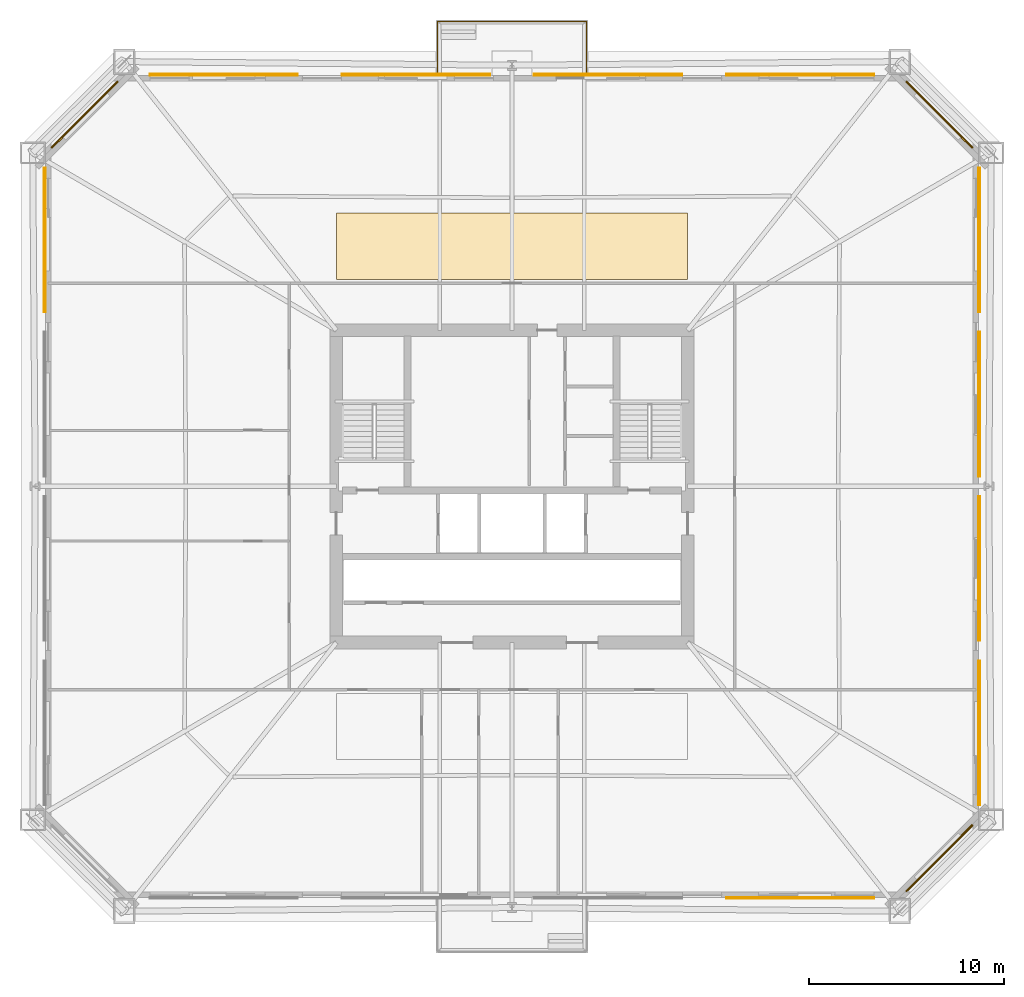
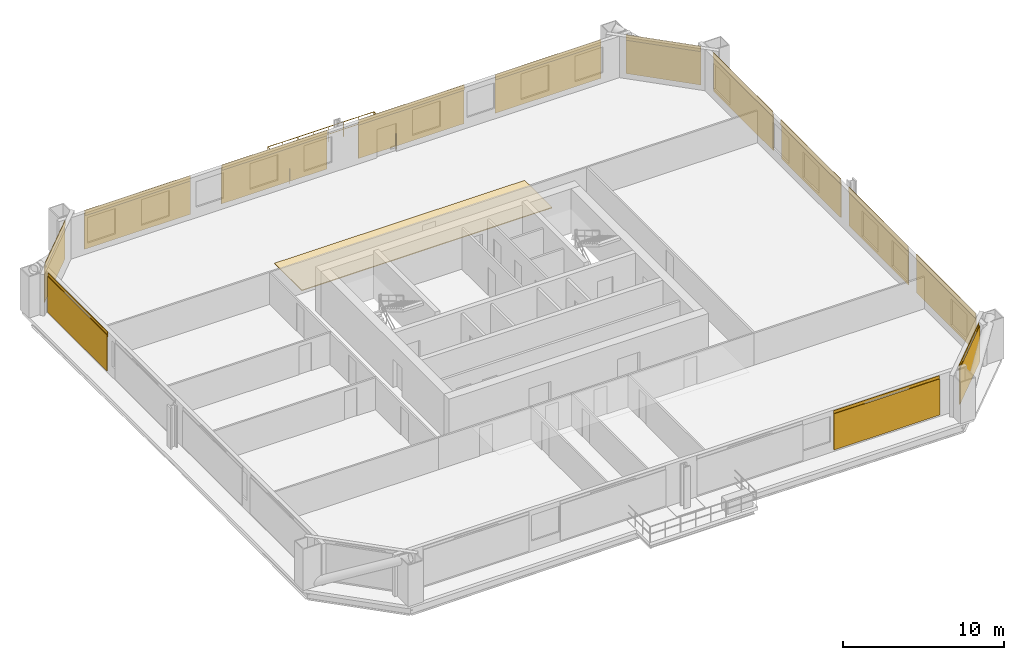
# One storey, part 8 of 8: 14 coverings, 13 shading devices, 1 railing.
"""IFC4 building model written with IfcOpenShell, lengths in metres."""

from ifc_helpers import new_model, si_unit, direction, frame, origin, origin_2d, place, context, subcontext, project, spatial, polyline, rectangle, circle, outline, extrude, material, layer, layer_set, type_object, element, save


model = new_model("IFC4")

# Units and contexts
model_context = context("Model", 3, precision=1e-05, world=origin(), true_north=direction((0.0, 1.0)))
body_context = subcontext(model_context, "Body", "Model", "MODEL_VIEW")
ifc_project = project(units=[si_unit("LENGTHUNIT", "METRE"), si_unit("AREAUNIT", "SQUARE_METRE"), si_unit("VOLUMEUNIT", "CUBIC_METRE"), si_unit("PLANEANGLEUNIT", "RADIAN"), si_unit("MASSUNIT", "GRAM", prefix="KILO")], contexts=[model_context])

# Site, building, storey
site_placement = place(None, origin())
site = spatial("IfcSite", under=ifc_project, at=site_placement, CompositionType="ELEMENT")
building_placement = place(site_placement, origin())
building = spatial("IfcBuilding", under=site, at=building_placement, Name="Caelvoria Tower", CompositionType="ELEMENT")
storey_placement = place(building_placement, frame((0.0, 0.0, 42.39990234375)))
storey = spatial("IfcBuildingStorey", under=building, at=storey_placement, Name="L10", CompositionType="ELEMENT", Elevation=42.39990234375)

# Railing
ifc_material_1 = material(Name="Bronze Anodised Aluminium and Stainless Steel", Category="steel")
railing_type = type_object("IfcRailingType", Name="Exterior Terrace and Balcony Guardrail 1150", PredefinedType="GUARDRAIL", material=ifc_material_1)
railing_placement = place(storey_placement, frame((42.179931640625, 53.06005859375, 0.0)))
element("IfcRailing", 1, at=railing_placement, inside=storey, type_object=railing_type, Name="Tree Balcony Guardrail TB-L10-N", PredefinedType="GUARDRAIL", context=body_context, shape_type="SweptSolid", body=[
    extrude(circle(Radius=0.02392578125, at=origin_2d()), frame((0.0, 0.0, 1.1259765625), z_axis=(0.0, 1.0, 0.0), x_axis=(-1.0, 0.0, 0.0)), (0.0, 0.0, 1.0), 2.760009765625),
    extrude(circle(Radius=0.02392578125, at=origin_2d()), frame((0.0, 0.0, 0.574951171875), z_axis=(0.0, 1.0, 0.0), x_axis=(-1.0, 0.0, 0.0)), (0.0, 0.0, 1.0), 2.760009765625),
    extrude(circle(Radius=0.02392578125, at=origin_2d()), frame((0.0, 2.760009765625, 1.1259765625), z_axis=(1.0, 0.0, 0.0), x_axis=(0.0, 1.0, 0.0)), (0.0, 0.0, 1.0), 7.64013671875),
    extrude(circle(Radius=0.02392578125, at=origin_2d()), frame((0.0, 2.760009765625, 0.574951171875), z_axis=(1.0, 0.0, 0.0), x_axis=(0.0, 1.0, 0.0)), (0.0, 0.0, 1.0), 7.64013671875),
    extrude(circle(Radius=0.02392578125, at=origin_2d()), frame((7.64013671875, 2.760009765625, 1.1259765625), z_axis=(0.0, -1.0, 0.0), x_axis=(1.0, 0.0, 0.0)), (0.0, 0.0, 1.0), 2.760009765625),
    extrude(circle(Radius=0.02392578125, at=origin_2d()), frame((7.64013671875, 2.760009765625, 0.574951171875), z_axis=(0.0, -1.0, 0.0), x_axis=(1.0, 0.0, 0.0)), (0.0, 0.0, 1.0), 2.760009765625),
    extrude(circle(Radius=0.02099609375, at=origin_2d()), origin(), (0.0, 0.0, 1.0), 1.101806640625),
    extrude(circle(Radius=0.02099609375, at=origin_2d()), frame((0.0, 0.919921875, 0.0)), (0.0, 0.0, 1.0), 1.101806640625),
    extrude(circle(Radius=0.02099609375, at=origin_2d()), frame((0.0, 1.840087890625, 0.0)), (0.0, 0.0, 1.0), 1.101806640625),
    extrude(circle(Radius=0.02099609375, at=origin_2d()), frame((0.0, 2.760009765625, 0.0)), (0.0, 0.0, 1.0), 1.101806640625),
    extrude(circle(Radius=0.02099609375, at=origin_2d()), frame((1.091552734375, 2.760009765625, 0.0)), (0.0, 0.0, 1.0), 1.101806640625),
    extrude(circle(Radius=0.02099609375, at=origin_2d()), frame((2.182861328125, 2.760009765625, 0.0)), (0.0, 0.0, 1.0), 1.101806640625),
    extrude(circle(Radius=0.02099609375, at=origin_2d()), frame((3.2744140625, 2.760009765625, 0.0)), (0.0, 0.0, 1.0), 1.101806640625),
    extrude(circle(Radius=0.02099609375, at=origin_2d()), frame((4.36572265625, 2.760009765625, 0.0)), (0.0, 0.0, 1.0), 1.101806640625),
    extrude(circle(Radius=0.02099609375, at=origin_2d()), frame((5.457275390625, 2.760009765625, 0.0)), (0.0, 0.0, 1.0), 1.101806640625),
    extrude(circle(Radius=0.02099609375, at=origin_2d()), frame((6.548583984375, 2.760009765625, 0.0)), (0.0, 0.0, 1.0), 1.101806640625),
    extrude(circle(Radius=0.02099609375, at=origin_2d()), frame((7.64013671875, 2.760009765625, 0.0)), (0.0, 0.0, 1.0), 1.101806640625),
    extrude(circle(Radius=0.02099609375, at=origin_2d()), frame((7.64013671875, 1.840087890625, 0.0)), (0.0, 0.0, 1.0), 1.101806640625),
    extrude(circle(Radius=0.02099609375, at=origin_2d()), frame((7.64013671875, 0.919921875, 0.0)), (0.0, 0.0, 1.0), 1.101806640625),
    extrude(circle(Radius=0.02099609375, at=origin_2d()), frame((7.64013671875, 0.0, 0.0)), (0.0, 0.0, 1.0), 1.101806640625),
])

# Coverings
ifc_material_2 = material(Name="Perforated Architectural Bronze Cladding Screen", Category="bronze")
ifc_layer_1 = layer(ifc_material_2, 0.0400390625, Name="Perforated Architectural Bronze Cladding Screen")
ifc_layer_set_1 = layer_set([ifc_layer_1], Name="Perforated Bronze Louvre Cladding Band 40 - Perforated Architectural Bronze Cladding Screen")
covering_type_1 = type_object("IfcCoveringType", Name="Perforated Bronze Louvre Cladding Band 40", PredefinedType="CLADDING", material=ifc_layer_set_1)
covering_1_placement = place(storey_placement, frame((60.767578125, 10.927978515625, 2.730224609375), z_axis=(0.0, 0.0, 1.0), x_axis=(1.0, 0.0, 0.0)))
element("IfcCovering", 2, at=covering_1_placement, inside=storey, type_object=covering_type_1, Name="Perforated Bronze Screen Band L10-E0-03", PredefinedType="CLADDING", context=body_context, shape_type="SweptSolid", body=[
    extrude(rectangle(XDim=7.60009765625, YDim=0.0400390625, at=origin_2d()), origin(), (0.0, 0.0, 1.0), 0.39990234375),
])
covering_2_placement = place(storey_placement, frame((67.881591796875, 12.96826171875, 2.730224609375), z_axis=(0.0, 0.0, 1.0), x_axis=(0.707106781187, 0.707106781187, 0.0)))
element("IfcCovering", 3, at=covering_2_placement, inside=storey, type_object=covering_type_1, Name="Perforated Bronze Screen Band L10-E1-00", PredefinedType="CLADDING", context=body_context, shape_type="SweptSolid", body=[
    extrude(rectangle(XDim=4.81201171875, YDim=0.0400390625, at=origin_2d()), origin(), (0.0, 0.0, 1.0), 0.39990234375),
])
for number, where, z_axis, x_axis, name in (
    (4, (69.922119140625, 19.3701171875, 2.730224609375), (0.0, 0.0, 1.0), (0.0, 1.0, 0.0), "Perforated Bronze Screen Band L10-E2-00"),
    (5, (69.922119140625, 27.7900390625, 2.730224609375), (0.0, 0.0, 1.0), (0.0, 1.0, 0.0), "Perforated Bronze Screen Band L10-E2-01"),
    (6, (69.922119140625, 36.2099609375, 2.730224609375), (0.0, 0.0, 1.0), (0.0, 1.0, 0.0), "Perforated Bronze Screen Band L10-E2-02"),
    (7, (69.922119140625, 44.6298828125, 2.730224609375), (0.0, 0.0, 1.0), (0.0, 1.0, 0.0), "Perforated Bronze Screen Band L10-E2-03"),
):
    element("IfcCovering", number, at=place(storey_placement, frame(where, z_axis=z_axis, x_axis=x_axis)), inside=storey, type_object=covering_type_1, Name=name, PredefinedType="CLADDING", context=body_context, shape_type="SweptSolid", body=[
        extrude(rectangle(XDim=7.40966796875, YDim=0.0400390625, at=origin_2d()), origin(), (0.0, 0.0, 1.0), 0.39990234375),
    ])
covering_3_placement = place(storey_placement, frame((67.881591796875, 51.03173828125, 2.730224609375), z_axis=(0.0, 0.0, 1.0), x_axis=(-0.707106781187, 0.707106781187, 0.0)))
element("IfcCovering", 8, at=covering_3_placement, inside=storey, type_object=covering_type_1, Name="Perforated Bronze Screen Band L10-E3-00", PredefinedType="CLADDING", context=body_context, shape_type="SweptSolid", body=[
    extrude(rectangle(XDim=4.81201171875, YDim=0.0400390625, at=origin_2d()), origin(), (0.0, 0.0, 1.0), 0.39990234375),
])
for number, where, z_axis, x_axis, name in (
    (9, (60.767578125, 53.072021484375, 2.730224609375), (0.0, 0.0, 1.0), (-1.0, 0.0, 0.0), "Perforated Bronze Screen Band L10-E4-00"),
    (10, (50.922607421875, 53.072021484375, 2.730224609375), (0.0, 0.0, 1.0), (-1.0, 0.0, 0.0), "Perforated Bronze Screen Band L10-E4-01"),
    (11, (41.077392578125, 53.072021484375, 2.730224609375), (0.0, 0.0, 1.0), (-1.0, 0.0, 0.0), "Perforated Bronze Screen Band L10-E4-02"),
    (12, (31.232421875, 53.072021484375, 2.730224609375), (0.0, 0.0, 1.0), (-1.0, 0.0, 0.0), "Perforated Bronze Screen Band L10-E4-03"),
):
    element("IfcCovering", number, at=place(storey_placement, frame(where, z_axis=z_axis, x_axis=x_axis)), inside=storey, type_object=covering_type_1, Name=name, PredefinedType="CLADDING", context=body_context, shape_type="SweptSolid", body=[
        extrude(rectangle(XDim=7.60009765625, YDim=0.0400390625, at=origin_2d()), origin(), (0.0, 0.0, 1.0), 0.39990234375),
    ])
covering_4_placement = place(storey_placement, frame((24.118408203125, 51.03173828125, 2.730224609375), z_axis=(0.0, 0.0, 1.0), x_axis=(-0.707106781187, -0.707106781187, 0.0)))
element("IfcCovering", 13, at=covering_4_placement, inside=storey, type_object=covering_type_1, Name="Perforated Bronze Screen Band L10-E5-00", PredefinedType="CLADDING", context=body_context, shape_type="SweptSolid", body=[
    extrude(rectangle(XDim=4.81201171875, YDim=0.0400390625, at=origin_2d()), origin(), (0.0, 0.0, 1.0), 0.39990234375),
])
covering_5_placement = place(storey_placement, frame((22.077880859375, 44.6298828125, 2.730224609375), z_axis=(0.0, 0.0, 1.0), x_axis=(0.0, -1.0, 0.0)))
element("IfcCovering", 14, at=covering_5_placement, inside=storey, type_object=covering_type_1, Name="Perforated Bronze Screen Band L10-E6-00", PredefinedType="CLADDING", context=body_context, shape_type="SweptSolid", body=[
    extrude(rectangle(XDim=7.40966796875, YDim=0.0400390625, at=origin_2d()), origin(), (0.0, 0.0, 1.0), 0.39990234375),
])

# Shading devices
ifc_material_3 = material(Name="Perforated Architectural Bronze Alloy Panel", Category="bronze")
ifc_layer_2 = layer(ifc_material_3, 0.044921875, Name="Perforated Architectural Bronze Alloy Panel")
ifc_layer_set_2 = layer_set([ifc_layer_2], Name="Perforated Bronze Solar Screen Panel SCREEN - Perforated Architectural Bronze Alloy Panel")
shading_device_type = type_object("IfcShadingDeviceType", Name="Perforated Bronze Solar Screen Panel SCREEN", PredefinedType="USERDEFINED", material=ifc_layer_set_2)
shading_device_1_placement = place(storey_placement, frame((60.767578125, 10.885009765625, 0.16015625), z_axis=(0.0, 0.0, 1.0), x_axis=(1.0, 0.0, 0.0)))
element("IfcShadingDevice", 15, at=shading_device_1_placement, inside=storey, type_object=shading_device_type, Name="Perforated Bronze Solar Screen L10-E0-03", ObjectType="SCREEN", PredefinedType="USERDEFINED", context=body_context, shape_type="SweptSolid", body=[
    extrude(rectangle(XDim=7.60009765625, YDim=0.044921875, at=origin_2d()), origin(), (0.0, 0.0, 1.0), 2.75),
])
shading_device_2_placement = place(storey_placement, frame((67.912109375, 12.93798828125, 0.16015625), z_axis=(0.0, 0.0, 1.0), x_axis=(0.707106781187, 0.707106781187, 0.0)))
element("IfcShadingDevice", 16, at=shading_device_2_placement, inside=storey, type_object=shading_device_type, Name="Perforated Bronze Solar Screen L10-E1-00", ObjectType="SCREEN", PredefinedType="USERDEFINED", context=body_context, shape_type="SweptSolid", body=[
    extrude(rectangle(XDim=4.81201171875, YDim=0.044921875, at=origin_2d()), origin(), (0.0, 0.0, 1.0), 2.75),
])
for number, where, z_axis, x_axis, name in (
    (17, (69.965087890625, 19.3701171875, 0.16015625), (0.0, 0.0, 1.0), (0.0, 1.0, 0.0), "Perforated Bronze Solar Screen L10-E2-00"),
    (18, (69.965087890625, 27.7900390625, 0.16015625), (0.0, 0.0, 1.0), (0.0, 1.0, 0.0), "Perforated Bronze Solar Screen L10-E2-01"),
    (19, (69.965087890625, 36.2099609375, 0.16015625), (0.0, 0.0, 1.0), (0.0, 1.0, 0.0), "Perforated Bronze Solar Screen L10-E2-02"),
    (20, (69.965087890625, 44.6298828125, 0.16015625), (0.0, 0.0, 1.0), (0.0, 1.0, 0.0), "Perforated Bronze Solar Screen L10-E2-03"),
):
    element("IfcShadingDevice", number, at=place(storey_placement, frame(where, z_axis=z_axis, x_axis=x_axis)), inside=storey, type_object=shading_device_type, Name=name, ObjectType="SCREEN", PredefinedType="USERDEFINED", context=body_context, shape_type="SweptSolid", body=[
        extrude(rectangle(XDim=7.40966796875, YDim=0.044921875, at=origin_2d()), origin(), (0.0, 0.0, 1.0), 2.75),
    ])
shading_device_3_placement = place(storey_placement, frame((67.912109375, 51.06201171875, 0.16015625), z_axis=(0.0, 0.0, 1.0), x_axis=(-0.707106781187, 0.707106781187, 0.0)))
element("IfcShadingDevice", 21, at=shading_device_3_placement, inside=storey, type_object=shading_device_type, Name="Perforated Bronze Solar Screen L10-E3-00", ObjectType="SCREEN", PredefinedType="USERDEFINED", context=body_context, shape_type="SweptSolid", body=[
    extrude(rectangle(XDim=4.81201171875, YDim=0.044921875, at=origin_2d()), origin(), (0.0, 0.0, 1.0), 2.75),
])
for number, where, z_axis, x_axis, name in (
    (22, (60.767578125, 53.114990234375, 0.16015625), (0.0, 0.0, 1.0), (-1.0, 0.0, 0.0), "Perforated Bronze Solar Screen L10-E4-00"),
    (23, (50.922607421875, 53.114990234375, 0.16015625), (0.0, 0.0, 1.0), (-1.0, 0.0, 0.0), "Perforated Bronze Solar Screen L10-E4-01"),
    (24, (41.077392578125, 53.114990234375, 0.16015625), (0.0, 0.0, 1.0), (-1.0, 0.0, 0.0), "Perforated Bronze Solar Screen L10-E4-02"),
    (25, (31.232421875, 53.114990234375, 0.16015625), (0.0, 0.0, 1.0), (-1.0, 0.0, 0.0), "Perforated Bronze Solar Screen L10-E4-03"),
):
    element("IfcShadingDevice", number, at=place(storey_placement, frame(where, z_axis=z_axis, x_axis=x_axis)), inside=storey, type_object=shading_device_type, Name=name, ObjectType="SCREEN", PredefinedType="USERDEFINED", context=body_context, shape_type="SweptSolid", body=[
        extrude(rectangle(XDim=7.60009765625, YDim=0.044921875, at=origin_2d()), origin(), (0.0, 0.0, 1.0), 2.75),
    ])
shading_device_4_placement = place(storey_placement, frame((24.087890625, 51.06201171875, 0.16015625), z_axis=(0.0, 0.0, 1.0), x_axis=(-0.707106781187, -0.707106781187, 0.0)))
element("IfcShadingDevice", 26, at=shading_device_4_placement, inside=storey, type_object=shading_device_type, Name="Perforated Bronze Solar Screen L10-E5-00", ObjectType="SCREEN", PredefinedType="USERDEFINED", context=body_context, shape_type="SweptSolid", body=[
    extrude(rectangle(XDim=4.81201171875, YDim=0.044921875, at=origin_2d()), origin(), (0.0, 0.0, 1.0), 2.75),
])
shading_device_5_placement = place(storey_placement, frame((22.034912109375, 44.6298828125, 0.16015625), z_axis=(0.0, 0.0, 1.0), x_axis=(0.0, -1.0, 0.0)))
element("IfcShadingDevice", 27, at=shading_device_5_placement, inside=storey, type_object=shading_device_type, Name="Perforated Bronze Solar Screen L10-E6-00", ObjectType="SCREEN", PredefinedType="USERDEFINED", context=body_context, shape_type="SweptSolid", body=[
    extrude(rectangle(XDim=7.40966796875, YDim=0.044921875, at=origin_2d()), origin(), (0.0, 0.0, 1.0), 2.75),
])

# Covering
ifc_material_4 = material(Name="Calcium-Sulphate Raised Floor Tile", Category="gypsum")
ifc_layer_3 = layer(ifc_material_4, 0.06005859375, Name="Calcium-Sulphate Raised Floor Tile")
ifc_layer_set_3 = layer_set([ifc_layer_3], Name="Raised Access Office Floor System 120 - Calcium-Sulphate Raised Floor Tile")
covering_type_2 = type_object("IfcCoveringType", Name="Raised Access Office Floor System 120", PredefinedType="FLOORING", material=ifc_layer_set_3)
covering_6_placement = place(storey_placement, origin())
element("IfcCovering", 28, at=covering_6_placement, inside=storey, type_object=covering_type_2, Name="Raised Access Flooring L10", PredefinedType="FLOORING", context=body_context, shape_type="SweptSolid", body=[
    extrude(outline(polyline([(37.0, 42.60009765625), (55.0, 42.60009765625), (55.0, 46.0), (37.0, 46.0), (37.0, 42.60009765625)])), origin(), (0.0, 0.0, 1.0), 0.06005859375),
])

save(model, "model.ifc")
